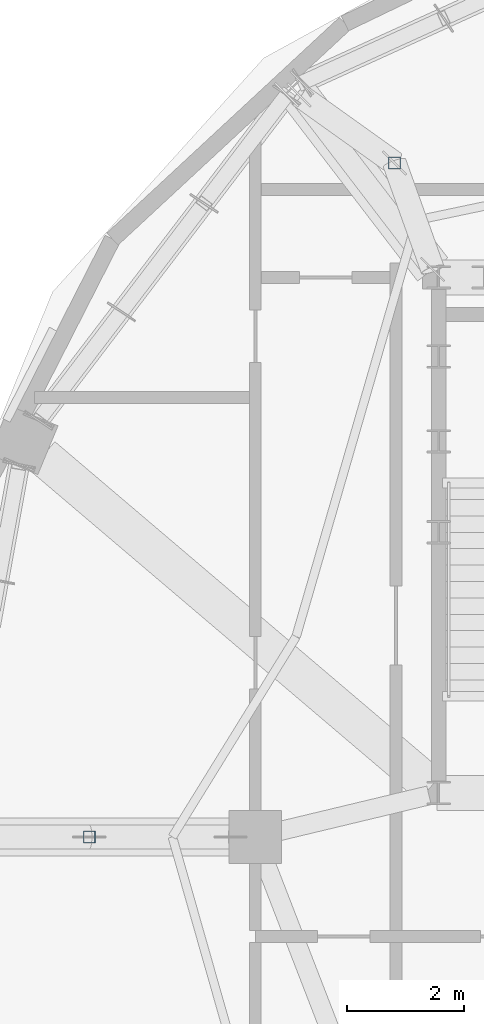
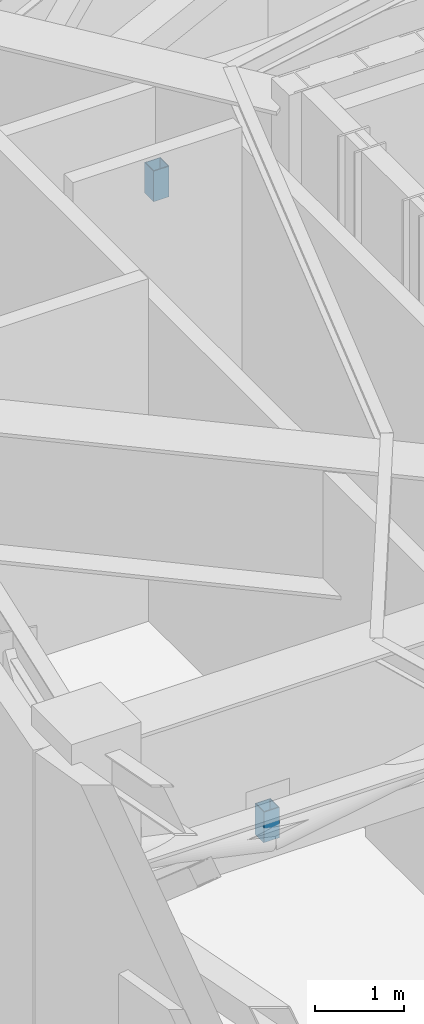
# One storey, part 4 of 15: 2 members.
"""IFC4 building model written with IfcOpenShell, lengths in metres."""

from ifc_helpers import new_model, si_unit, direction, frame, origin, origin_2d, place, context, subcontext, project, spatial, hollow_rectangle, extrude, material, material_profile, profile_set, type_object, element, save


model = new_model("IFC4")

# Units and contexts
model_context = context("Model", 3, precision=1e-05, world=origin(), true_north=direction((0.0, 1.0)))
body_context = subcontext(model_context, "Body", "Model", "MODEL_VIEW")
ifc_project = project(units=[si_unit("LENGTHUNIT", "METRE"), si_unit("AREAUNIT", "SQUARE_METRE"), si_unit("VOLUMEUNIT", "CUBIC_METRE"), si_unit("PLANEANGLEUNIT", "RADIAN"), si_unit("MASSUNIT", "GRAM", prefix="KILO")], contexts=[model_context])

# Site, building, storey
site_placement = place(None, origin())
site = spatial("IfcSite", under=ifc_project, at=site_placement, CompositionType="ELEMENT")
building_placement = place(site_placement, origin())
building = spatial("IfcBuilding", under=site, at=building_placement, Name="Haldorwick Loom Tower", CompositionType="ELEMENT")
storey_placement = place(building_placement, frame((0.0, 0.0, 286.5)))
storey = spatial("IfcBuildingStorey", under=building, at=storey_placement, Name="L77", CompositionType="ELEMENT", Elevation=286.5)

# Members
ifc_material = material(Name="Steel CSA G40.21 350W", Category="steel")
ifc_material_profile = material_profile(ifc_material, hollow_rectangle(XDim=0.203125, YDim=0.203125, WallThickness=0.009521484375, at=origin_2d()), Name="HSS203X203X10", Category="steel")
ifc_profile_set = profile_set([ifc_material_profile], Name="Steel CSA G40.21 350W")
member_type = type_object("IfcMemberType", Name="STR-MEM-ST203", PredefinedType="STRUT", material=ifc_profile_set)
for number, where, z_axis, x_axis, name in (
    (1, (21.174560546875, 37.501220703125, 2.5), (0.0, 0.0, 1.0), (1.0, 0.0, 0.0), "L77 Outrigger OT-NW Mid Post"),
    (2, (15.96630859375, 26.0, 2.5), (0.0, 0.0, 1.0), (1.0, 0.0, 0.0), "L77 Outrigger OT-W Mid Post"),
):
    element("IfcMember", number, at=place(storey_placement, frame(where, z_axis=z_axis, x_axis=x_axis)), inside=storey, type_object=member_type, Name=name, PredefinedType="STRUT", context=body_context, shape_type="SweptSolid", body=[
        extrude(hollow_rectangle(XDim=0.203125, YDim=0.203125, WallThickness=0.009521484375, at=origin_2d()), origin(), (0.0, 0.0, 1.0), 0.419921875),
    ])

save(model, "model.ifc")
